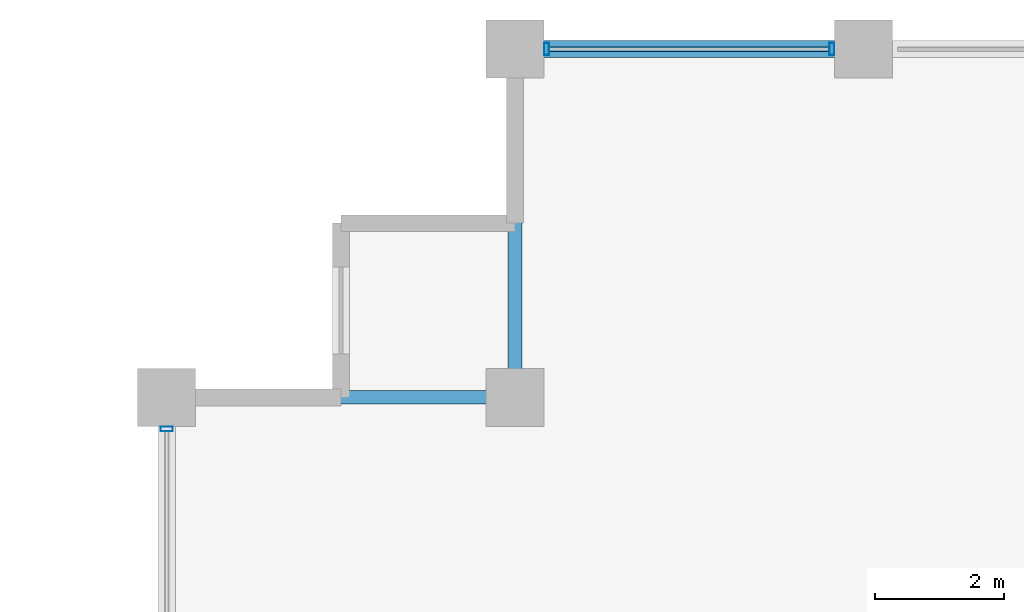
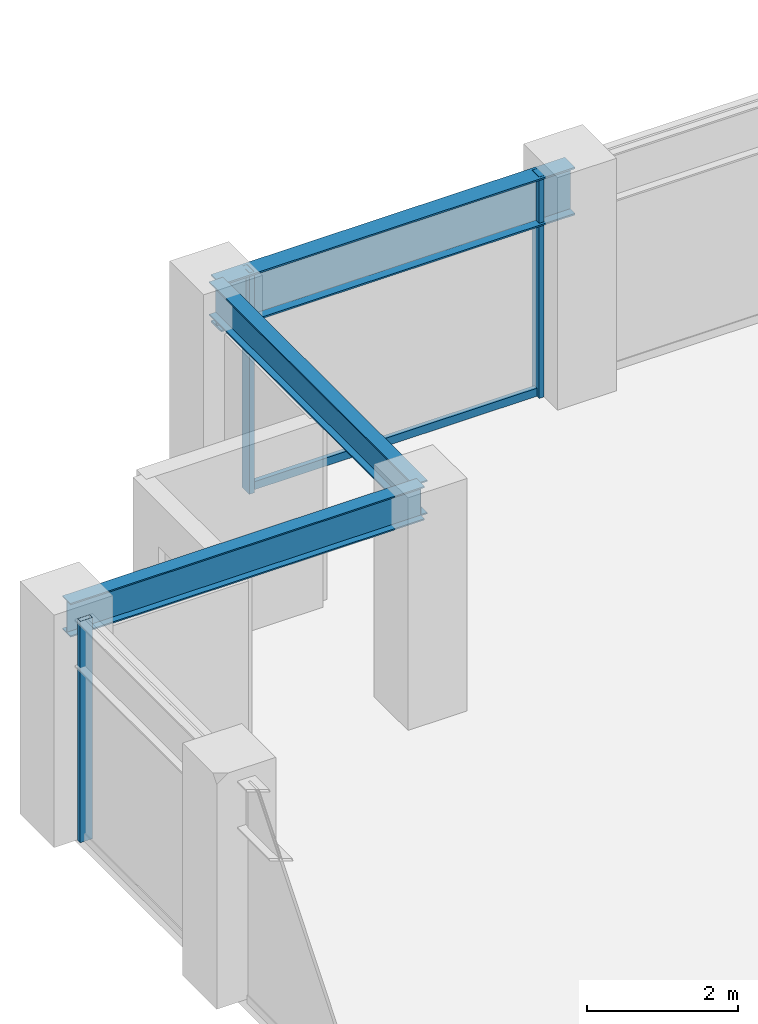
# One storey, part 15 of 28: 4 members, 3 beams, 2 elements without a shape of their own.
"""IFC4 building model written with IfcOpenShell, lengths in metres."""

import ifcopenshell
import ifcopenshell.guid

model = None  # the IFC model being written
_history = None  # IfcOwnerHistory: only IFC2X3 demands one
_inside = {}  # id of a spatial element -> (the spatial element, [elements in it])
_under = {}  # id of a project, library or spatial element -> (it, [spatial elements below it])
_declared = {}  # id of a project -> (the project, [libraries it declares])
_typed = {}  # id of a type object -> (the type object, [elements of that type])
_made_of = {}  # id of a material, layer set ... -> (it, [elements and type objects made of it])


def new_model(schema):
    """Start an empty IFC model of exactly this schema.

    Asked for "IFC4X3", IfcOpenShell would pick the latest addendum, in which some entities
    have other attributes; the version numbers below select the first issue.
    IFC2X3 requires an IfcOwnerHistory on every rooted entity: one is made here for all.
    """
    global model, _history
    if schema == "IFC4X3":
        model = ifcopenshell.file(schema_version=(4, 3, 0, 0))
    else:
        model = ifcopenshell.file(schema=schema)
    _inside.clear()
    _under.clear()
    _declared.clear()
    _typed.clear()
    _made_of.clear()
    _history = None
    if model.schema == "IFC2X3":
        org = make("IfcOrganization", Name="unknown")
        user = make(
            "IfcPersonAndOrganization",
            ThePerson=make("IfcPerson", FamilyName="unknown"),
            TheOrganization=org,
        )
        app = make(
            "IfcApplication",
            ApplicationDeveloper=org,
            Version="unknown",
            ApplicationFullName="unknown",
            ApplicationIdentifier="unknown",
        )
        _history = make(
            "IfcOwnerHistory",
            OwningUser=user,
            OwningApplication=app,
            ChangeAction="ADDED",
            CreationDate=0,
        )
    return model


def make(cls, **values):
    """One entity of the class cls with the attributes given. An attribute that is None is left unset."""
    return model.create_entity(
        cls, **{name: value for name, value in values.items() if value is not None}
    )


def rooted(cls, **values):
    """An entity with a GlobalId (a new one), such as an element, a storey or a relation."""
    return make(cls, GlobalId=ifcopenshell.guid.new(), OwnerHistory=_history, **values)


def si_unit(unit_type, name, prefix=None):
    """IfcSIUnit, for example si_unit("LENGTHUNIT", "METRE", prefix="MILLI")."""
    return make("IfcSIUnit", UnitType=unit_type, Prefix=prefix, Name=name)


def assignment(units):
    """IfcUnitAssignment: the units of a project."""
    return None if units is None else make("IfcUnitAssignment", Units=units)


def point(xyz):
    """IfcCartesianPoint."""
    return None if xyz is None else make("IfcCartesianPoint", Coordinates=xyz)


def direction(xyz):
    """IfcDirection."""
    return None if xyz is None else make("IfcDirection", DirectionRatios=xyz)


def frame(location, z_axis=None, x_axis=None):
    """IfcAxis2Placement3D, a coordinate frame: its origin and axes. An axis left out is left unset."""
    return make(
        "IfcAxis2Placement3D",
        Location=point(location),
        Axis=direction(z_axis),
        RefDirection=direction(x_axis),
    )


def frame_2d(location, x_axis=None):
    """IfcAxis2Placement2D, a coordinate frame in the plane: its origin and x axis."""
    return make(
        "IfcAxis2Placement2D", Location=point(location), RefDirection=direction(x_axis)
    )


def origin():
    """The frame at (0, 0, 0) with its axes left unset."""
    return frame((0.0, 0.0, 0.0))


def origin_2d():
    """The frame at (0, 0) in the plane with its x axis left unset."""
    return frame_2d((0.0, 0.0))


def place(relative_to, where):
    """IfcLocalPlacement: puts the frame where relative to a parent placement (None: the world)."""
    return make(
        "IfcLocalPlacement", PlacementRelTo=relative_to, RelativePlacement=where
    )


def context(
    kind, dimensions, precision=None, world=None, true_north=None, identifier=None
):
    """IfcGeometricRepresentationContext, for example the 3D "Model" context."""
    return make(
        "IfcGeometricRepresentationContext",
        ContextIdentifier=identifier,
        ContextType=kind,
        CoordinateSpaceDimension=dimensions,
        Precision=precision,
        WorldCoordinateSystem=world,
        TrueNorth=true_north,
    )


def subcontext(parent, identifier, kind, view, scale=None):
    """IfcGeometricRepresentationSubContext, for example "Body" below "Model"."""
    return make(
        "IfcGeometricRepresentationSubContext",
        ContextIdentifier=identifier,
        ContextType=kind,
        ParentContext=parent,
        TargetScale=scale,
        TargetView=view,
    )


def project(units=None, contexts=None):
    """IfcProject with its units and contexts."""
    return rooted(
        "IfcProject",
        Name="project",
        RepresentationContexts=contexts,
        UnitsInContext=assignment(units),
    )


def spatial(cls, under=None, at=None, **own):
    """A site, building, storey or space (cls), placed at a placement, below another one or the project."""
    s = rooted(cls, ObjectPlacement=at, **own)
    if under is not None:
        _under.setdefault(under.id(), (under, []))[1].append(s)
    return s


def profile(cls, at=None, kind="AREA", **sizes):
    """A parametric profile (cls). Its sizes go by their IFC names, for example OverallWidth=200.0."""
    return make(cls, ProfileType=kind, Position=at, **sizes)


def hollow_rectangle(**sizes):
    """IfcRectangleHollowProfileDef."""
    return profile("IfcRectangleHollowProfileDef", **sizes)


def i_section(**sizes):
    """IfcIShapeProfileDef."""
    return profile("IfcIShapeProfileDef", **sizes)


def extrude(swept, where, along, depth):
    """IfcExtrudedAreaSolid: the profile swept, set in the frame where, extruded along a direction by depth."""
    return make(
        "IfcExtrudedAreaSolid",
        SweptArea=swept,
        Position=where,
        ExtrudedDirection=direction(along),
        Depth=depth,
    )


def shape(context_of_items, identifier, shape_type, items):
    """IfcShapeRepresentation: the items that make up one representation, for example the "Body"."""
    return make(
        "IfcShapeRepresentation",
        ContextOfItems=context_of_items,
        RepresentationIdentifier=identifier,
        RepresentationType=shape_type,
        Items=items,
    )


def material(Name=None, Category=None):
    """IfcMaterial."""
    return make("IfcMaterial", Name=Name, Category=Category)


def layer(
    of_material, thickness, ventilated=None, Name=None, Category=None, Priority=None
):
    """IfcMaterialLayer: one layer of a wall or slab, of a material (None: an air gap)."""
    return make(
        "IfcMaterialLayer",
        Material=of_material,
        LayerThickness=thickness,
        IsVentilated=ventilated,
        Name=Name,
        Category=Category,
        Priority=Priority,
    )


def layer_set(layers, Name=None):
    """IfcMaterialLayerSet."""
    return make("IfcMaterialLayerSet", MaterialLayers=layers, LayerSetName=Name)


def material_profile(
    of_material, cross_section, Name=None, Category=None, Priority=None
):
    """IfcMaterialProfile: a cross section and its material."""
    return make(
        "IfcMaterialProfile",
        Name=Name,
        Material=of_material,
        Profile=cross_section,
        Priority=Priority,
        Category=Category,
    )


def profile_set(profiles, Name=None, composite=None):
    """IfcMaterialProfileSet."""
    return make(
        "IfcMaterialProfileSet",
        Name=Name,
        MaterialProfiles=profiles,
        CompositeProfile=composite,
    )


def made_of(thing, what):
    """Note that an element or type object is made of a material, layer set ...; save() writes the relation."""
    if what is not None:
        _made_of.setdefault(what.id(), (what, []))[1].append(thing)
    return thing


def type_object(cls, material=None, **own):
    """A type object (cls), such as IfcWallType, which elements share."""
    return made_of(rooted(cls, **own), material)


def element(
    cls,
    number,
    at=None,
    inside=None,
    cuts=None,
    type_object=None,
    material=None,
    context=None,
    identifier="Body",
    shape_type=None,
    held_by="IfcProductDefinitionShape",
    body=None,
    shapes=None,
    **own,
):
    """One element of the class cls, such as IfcWall. Its Tag is "e" and its number.

    at: its placement. inside: the storey or other place that contains it. cuts: it is an
    opening in that element (IfcRelVoidsElement). A single representation is given by context,
    identifier, shape_type and body (its items); several are given by shapes. held_by: the class
    of the entity that holds the representations. save() writes the other relations.
    """
    e = rooted(cls, Tag="e%d" % number, ObjectPlacement=at, **own)
    if body is not None:
        shapes = [shape(context, identifier, shape_type, body)]
    if shapes is not None:
        e.Representation = make(held_by, Representations=shapes)
    if inside is not None:
        _inside.setdefault(inside.id(), (inside, []))[1].append(e)
    if cuts is not None:
        rooted(
            "IfcRelVoidsElement", RelatingBuildingElement=cuts, RelatedOpeningElement=e
        )
    if type_object is not None:
        _typed.setdefault(type_object.id(), (type_object, []))[1].append(e)
    return made_of(e, material)


def aggregate(whole, parts):
    """IfcRelAggregates: a whole, such as a stair, and the parts it consists of."""
    return rooted("IfcRelAggregates", RelatingObject=whole, RelatedObjects=parts)


def save(model, path):
    """Write the relations noted so far, then the file.

    IfcRelAggregates (storeys below a building ...), IfcRelContainedInSpatialStructure (elements
    in a storey), IfcRelDefinesByType, IfcRelAssociatesMaterial and IfcRelDeclares: one each for
    every whole, place, type object, material and project.
    """
    for whole, parts in _under.values():
        aggregate(whole, parts)
    for where, things in _inside.values():
        rooted(
            "IfcRelContainedInSpatialStructure",
            RelatedElements=things,
            RelatingStructure=where,
        )
    for kind, things in _typed.values():
        rooted("IfcRelDefinesByType", RelatedObjects=things, RelatingType=kind)
    for what, things in _made_of.values():
        rooted("IfcRelAssociatesMaterial", RelatedObjects=things, RelatingMaterial=what)
    for by, libraries in _declared.values():
        rooted("IfcRelDeclares", RelatingContext=by, RelatedDefinitions=libraries)
    model.write(path)


model = new_model("IFC4")

# Units and contexts
model_context = context("Model", 3, precision=1e-05, world=origin(), true_north=direction((0.0, 1.0)))
body_context = subcontext(model_context, "Body", "Model", "MODEL_VIEW")
ifc_project = project(units=[si_unit("LENGTHUNIT", "METRE"), si_unit("AREAUNIT", "SQUARE_METRE"), si_unit("VOLUMEUNIT", "CUBIC_METRE"), si_unit("PLANEANGLEUNIT", "RADIAN"), si_unit("MASSUNIT", "GRAM", prefix="KILO")], contexts=[model_context])

# Site, building, storey
site_placement = place(None, origin())
site = spatial("IfcSite", under=ifc_project, at=site_placement, CompositionType="ELEMENT")
building_placement = place(site_placement, origin())
building = spatial("IfcBuilding", under=site, at=building_placement, Name="Surkhivell Harbour Commons", CompositionType="ELEMENT")
storey_placement = place(building_placement, frame((0.0, 0.0, 178.5)))
storey = spatial("IfcBuildingStorey", under=building, at=storey_placement, Name="L46", CompositionType="ELEMENT", Elevation=178.5)

# Beams
ifc_material_1 = material(Name="Steel S355", Category="steel")
ifc_material_profile_1 = material_profile(ifc_material_1, i_section(OverallWidth=0.2119140625, OverallDepth=0.5439453125, WebThickness=0.0126953125, FlangeThickness=0.021240234375, at=origin_2d()), Name="UB533x210x122")
ifc_profile_set_1 = profile_set([ifc_material_profile_1], Name="Steel S355")
beam_type_1 = type_object("IfcBeamType", Name="BM-GRD-533A", PredefinedType="BEAM", material=ifc_profile_set_1)
for number, where, z_axis, x_axis, name in (
    (1, (-27.0, 20.5, 3.298095703125), (1.0, 0.0, 0.0), (0.0, 1.0, 0.0), "L46 Floor Girder (-27.0,20.5)"),
    (2, (-21.60009765625, 20.5, 3.298095703125), (0.0, 1.0, 0.0), (-1.0, 0.0, 0.0), "L46 Floor Girder (-21.6,20.5)"),
):
    element("IfcBeam", number, at=place(storey_placement, frame(where, z_axis=z_axis, x_axis=x_axis)), inside=storey, type_object=beam_type_1, Name=name, PredefinedType="BEAM", context=body_context, shape_type="SweptSolid", body=[
        extrude(i_section(OverallWidth=0.2119140625, OverallDepth=0.5439453125, WebThickness=0.0126953125, FlangeThickness=0.021240234375, at=origin_2d()), origin(), (0.0, 0.0, 1.0), 5.39990234375),
    ])
ifc_material_profile_2 = material_profile(ifc_material_1, i_section(OverallWidth=0.26806640625, OverallDepth=0.77001953125, WebThickness=0.015625, FlangeThickness=0.025390625, at=origin_2d()), Name="UB762x267x197")
ifc_profile_set_2 = profile_set([ifc_material_profile_2], Name="Steel S355")
beam_type_2 = type_object("IfcBeamType", Name="BM-SPN-762", PredefinedType="SPANDREL", material=ifc_profile_set_2)
beam_placement = place(storey_placement, frame((-21.60009765625, 25.89990234375, 3.18505859375), z_axis=(1.0, 0.0, 0.0), x_axis=(0.0, 1.0, 0.0)))
element("IfcBeam", 3, at=beam_placement, inside=storey, type_object=beam_type_2, Name="L46 Tube Spandrel (-21.6,25.9)", PredefinedType="SPANDREL", context=body_context, shape_type="SweptSolid", body=[
    extrude(i_section(OverallWidth=0.26806640625, OverallDepth=0.77001953125, WebThickness=0.015625, FlangeThickness=0.025390625, at=origin_2d()), origin(), (0.0, 0.0, 1.0), 5.400146484375),
])

# Curtain wall, members
ifc_material_2 = material(Name="Anodised pale-metal aluminium and insulated glazing", Category="aluminium")
ifc_layer = layer(ifc_material_2, 0.18994140625)
ifc_layer_set = layer_set([ifc_layer], Name="Anodised pale-metal aluminium and insulated glazing")
curtain_wall_type = type_object("IfcCurtainWallType", Name="CW-SYS-Z3", PredefinedType="NOTDEFINED", material=ifc_layer_set)
curtain_wall_1_placement = place(storey_placement, origin())
curtain_wall_1 = element("IfcCurtainWall", 4, at=curtain_wall_1_placement, inside=storey, type_object=curtain_wall_type, Name="L46 Curtain Wall CW-L46-E07S2", PredefinedType="NOTDEFINED")
ifc_material_3 = material(Name="Anodised pale-metal aluminium alloy 6063-T6", Category="aluminium")
ifc_material_profile_3 = material_profile(ifc_material_3, hollow_rectangle(XDim=0.074951171875, YDim=0.18994140625, WallThickness=0.00390625, at=origin_2d()), Name="ALU-MULL-75x190")
ifc_profile_set_3 = profile_set([ifc_material_profile_3], Name="Anodised pale-metal aluminium alloy 6063-T6")
member_type_1 = type_object("IfcMemberType", Name="CWM-190", PredefinedType="MULLION", material=ifc_profile_set_3)
member_1_placement = place(storey_placement, frame((-16.689453125, 25.89990234375, 0.0), z_axis=(0.0, 0.0, 1.0), x_axis=(-1.0, 0.0, 0.0)))
member_1 = element("IfcMember", 5, at=member_1_placement, type_object=member_type_1, Name="CW-Z3 mullion 3", PredefinedType="MULLION", context=body_context, shape_type="SweptSolid", body=[
    extrude(hollow_rectangle(XDim=0.074951171875, YDim=0.18994140625, WallThickness=0.00390625, at=origin_2d()), origin(), (0.0, 0.0, 1.0), 3.570068359375),
])
member_2_placement = place(storey_placement, frame((-21.110595703125, 25.89990234375, 0.0), z_axis=(0.0, 0.0, 1.0), x_axis=(-1.0, 0.0, 0.0)))
member_2 = element("IfcMember", 6, at=member_2_placement, type_object=member_type_1, Name="CW-Z3 mullion 4", PredefinedType="MULLION", context=body_context, shape_type="SweptSolid", body=[
    extrude(hollow_rectangle(XDim=0.074951171875, YDim=0.18994140625, WallThickness=0.00390625, at=origin_2d()), origin(), (0.0, 0.0, 1.0), 3.570068359375),
])

# Curtain wall, member
curtain_wall_2_placement = place(storey_placement, origin())
curtain_wall_2 = element("IfcCurtainWall", 7, at=curtain_wall_2_placement, inside=storey, type_object=curtain_wall_type, Name="L46 Curtain Wall CW-L46-E12R2", PredefinedType="NOTDEFINED")
member_3_placement = place(storey_placement, frame((-27.0, 20.010498046875, 0.0), z_axis=(0.0, 0.0, 1.0), x_axis=(0.0, 1.0, 0.0)))
member_3 = element("IfcMember", 8, at=member_3_placement, type_object=member_type_1, Name="CW-Z3 mullion 4", PredefinedType="MULLION", context=body_context, shape_type="SweptSolid", body=[
    extrude(hollow_rectangle(XDim=0.074951171875, YDim=0.18994140625, WallThickness=0.00390625, at=origin_2d()), origin(), (0.0, 0.0, 1.0), 3.570068359375),
])
aggregate(curtain_wall_2, [member_3])

# Member
ifc_material_4 = material(Name="Champagne anodised aluminium alloy 6063-T6", Category="aluminium")
ifc_material_profile_4 = material_profile(ifc_material_4, hollow_rectangle(XDim=0.070068359375, YDim=0.1298828125, WallThickness=0.00341796875, at=origin_2d()), Name="ALU-TRAN-70x130")
ifc_profile_set_4 = profile_set([ifc_material_profile_4], Name="Champagne anodised aluminium alloy 6063-T6")
member_type_2 = type_object("IfcMemberType", Name="CWT-130", PredefinedType="USERDEFINED", material=ifc_profile_set_4)
member_4_placement = place(storey_placement, frame((-16.72705078125, 25.89990234375, 0.06494140625), z_axis=(-1.0, 0.0, 0.0), x_axis=(0.0, -1.0, 0.0)))
member_4 = element("IfcMember", 9, at=member_4_placement, type_object=member_type_2, Name="CW-Z3 transom 3.1", ObjectType="TRANSOM", PredefinedType="USERDEFINED", context=body_context, shape_type="SweptSolid", body=[
    extrude(hollow_rectangle(XDim=0.070068359375, YDim=0.1298828125, WallThickness=0.00341796875, at=origin_2d()), origin(), (0.0, 0.0, 1.0), 4.345947265625),
])

aggregate(curtain_wall_1, [member_1, member_2, member_4])

save(model, "model.ifc")
